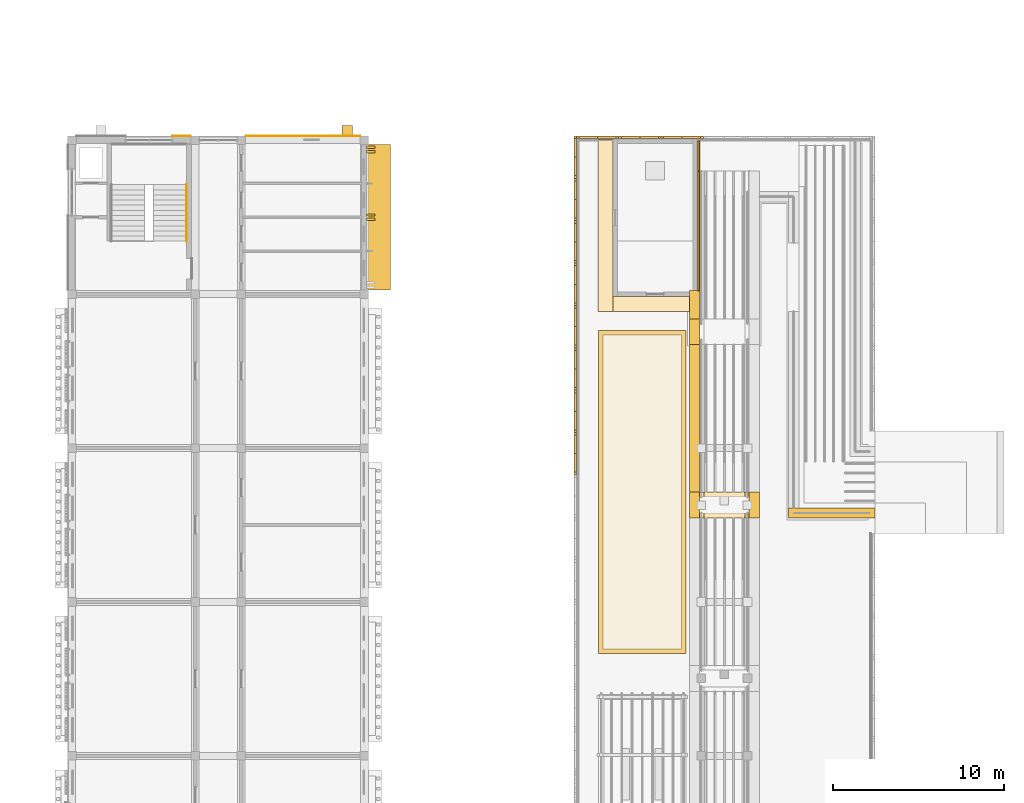
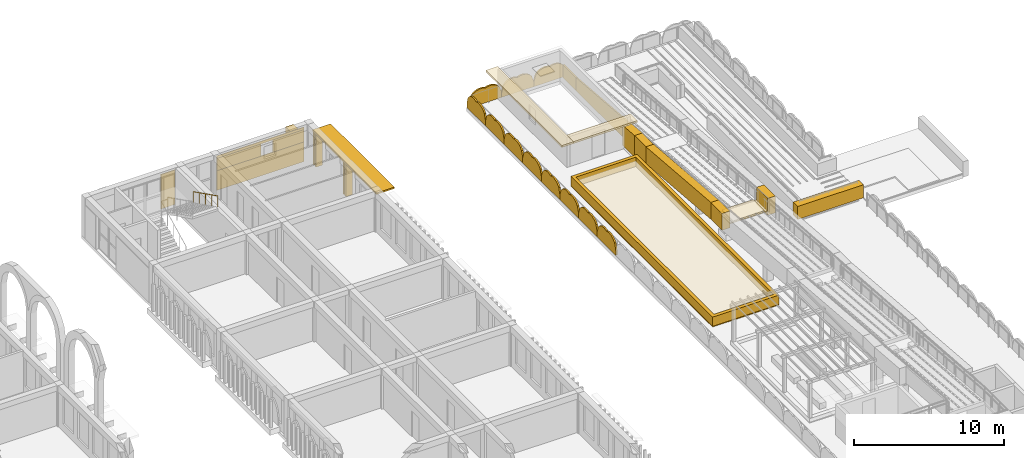
# One storey, part 67 of 70: 24 coverings, 12 shading devices, 1 railing.
"""IFC4 building model written with IfcOpenShell, lengths in metres."""

from ifc_helpers import new_model, si_unit, direction, frame, origin, origin_2d, place, context, subcontext, project, spatial, polyline, rectangle, circle, outline, extrude, material, layer, layer_set, type_object, element, save


model = new_model("IFC4")

# Units and contexts
model_context = context("Model", 3, precision=1e-05, world=origin(), true_north=direction((0.0, 1.0)))
body_context = subcontext(model_context, "Body", "Model", "MODEL_VIEW")
ifc_project = project(units=[si_unit("LENGTHUNIT", "METRE"), si_unit("AREAUNIT", "SQUARE_METRE"), si_unit("VOLUMEUNIT", "CUBIC_METRE"), si_unit("PLANEANGLEUNIT", "RADIAN"), si_unit("MASSUNIT", "GRAM", prefix="KILO")], contexts=[model_context])

# Site, building, storey
site_placement = place(None, origin())
site = spatial("IfcSite", under=ifc_project, at=site_placement, CompositionType="ELEMENT")
building_placement = place(site_placement, origin())
building = spatial("IfcBuilding", under=site, at=building_placement, Name="Elbe Cascade School", CompositionType="ELEMENT")
storey_placement = place(building_placement, frame((0.0, 0.0, 8.10009765625)))
storey = spatial("IfcBuildingStorey", under=building, at=storey_placement, Name="L02", CompositionType="ELEMENT", Elevation=8.10009765625)

# Railing
ifc_material_1 = material(Name="Steel S355J2H, painted", Category="steel")
railing_type = type_object("IfcRailingType", Name="Bar stair handrail 900", PredefinedType="HANDRAIL", material=ifc_material_1)
railing_placement = place(storey_placement, frame((134.89990234375, 57.39990234375, 1.949951171875)))
element("IfcRailing", 1, at=railing_placement, inside=storey, type_object=railing_type, Name="Stair handrail C2.N", PredefinedType="HANDRAIL", context=body_context, shape_type="SweptSolid", body=[
    extrude(circle(Radius=0.02392578125, at=origin_2d()), frame((0.0, 0.0, 0.8759765625), z_axis=(0.0, -0.894427191, 0.4472135955), x_axis=(1.0, 0.0, 0.0)), (0.0, 0.0, 1.0), 3.689208984375),
    extrude(circle(Radius=0.02099609375, at=origin_2d()), origin(), (0.0, 0.0, 1.0), 0.851806640625),
    extrude(circle(Radius=0.02099609375, at=origin_2d()), frame((0.0, -0.824951171875, 0.41259765625)), (0.0, 0.0, 1.0), 0.851806640625),
    extrude(circle(Radius=0.02099609375, at=origin_2d()), frame((0.0, -1.64990234375, 0.824951171875)), (0.0, 0.0, 1.0), 0.851806640625),
    extrude(circle(Radius=0.02099609375, at=origin_2d()), frame((0.0, -2.474853515625, 1.2373046875)), (0.0, 0.0, 1.0), 0.851806640625),
    extrude(circle(Radius=0.02099609375, at=origin_2d()), frame((0.0, -3.2998046875, 1.64990234375)), (0.0, 0.0, 1.0), 0.851806640625),
])

# Shading devices
ifc_material_2 = material(Name="Precast concrete C40/50", Category="concrete")
ifc_layer_1 = layer(ifc_material_2, 0.1201171875)
ifc_layer_set_1 = layer_set([ifc_layer_1], Name="Precast concrete C40/50")
shading_device_type_1 = type_object("IfcShadingDeviceType", Name="Bars envelope Attic jali screen, pointed arch top, pierced precast concrete, 1200 high", PredefinedType="USERDEFINED", material=ifc_layer_set_1)
shading_device_1_placement = place(storey_placement, frame((157.580078125, 40.431884765625, 0.39990234375), z_axis=(-1.0, 0.0, 0.0), x_axis=(0.0, 0.296914729778, 0.954903996871)))
element("IfcShadingDevice", 2, at=shading_device_1_placement, inside=storey, type_object=shading_device_type_1, Name="Attic jali screen SD1 D.L02.w15", ObjectType="JALI", PredefinedType="USERDEFINED", context=body_context, shape_type="SweptSolid", body=[
    extrude(outline(polyline([(0.0, 0.0), (0.5213118135497831, 2.7755575615628914e-17), (0.730927669136395, 0.09691772307437502), (0.8773650620393721, 0.21347995097534359), (0.9848696015542793, 0.3421478331421466), (1.0621396183974305, 0.48047240936850977), (1.1125270975525943, 0.6269000837217165), (1.1363376588260814, 0.7815914981126785), (1.1317062553490027, 0.9451265641229927), (1.2282536445091836, 1.0772014268316772), (1.2963590689187985, 1.218119941159714), (1.3379600643944363, 1.3675353263841168), (1.3526785221820867, 1.5250538097353636), (1.3370899683502817, 1.6919958562875592), (1.2825685611304065, 1.8710435571055892), (1.1649411801745964, 2.069968893608824), (0.7355453523079154, 2.365578822327823), (0.3536770059027736, 2.4843157186597797), (-0.3818683464051418, 0.11873689633195678), (0.0, 0.0)])), origin(), (0.0, 0.0, -1.0), 0.1201171875),
])
shading_device_2_placement = place(storey_placement, frame((157.580078125, 42.9091796875, 0.39990234375), z_axis=(-1.0, 0.0, 0.0), x_axis=(0.0, 0.296914729778, 0.954903996871)))
element("IfcShadingDevice", 3, at=shading_device_2_placement, inside=storey, type_object=shading_device_type_1, Name="Attic jali screen SD1 D.L02.w16", ObjectType="JALI", PredefinedType="USERDEFINED", context=body_context, shape_type="SweptSolid", body=[
    extrude(outline(polyline([(0.0, 0.0), (0.5213118135497831, 2.7755575615628914e-17), (0.730927669136395, 0.09691772307437502), (0.8773650620393721, 0.21347995097534359), (0.9848696015542793, 0.3421478331421466), (1.0620671294497308, 0.48023927850989856), (1.1125270975525943, 0.6269000837217165), (1.1363376588260814, 0.7815914981126785), (1.1317062553490027, 0.9451265641229927), (1.2282536445091836, 1.0772014268316772), (1.296431557866498, 1.218353072018325), (1.3379600643944363, 1.3675353263841168), (1.3526785221820867, 1.5250538097353636), (1.3370899683502817, 1.6919958562875592), (1.2825685611304065, 1.8710435571055892), (1.1648686912268968, 2.069735762750213), (0.7355453523079154, 2.365578822327823), (0.3536770059027736, 2.4843157186597797), (-0.3818683464051418, 0.11873689633195678), (0.0, 0.0)])), origin(), (0.0, 0.0, -1.0), 0.1201171875),
])
shading_device_3_placement = place(storey_placement, frame((157.580078125, 45.386474609375, 0.39990234375), z_axis=(-1.0, 0.0, 0.0), x_axis=(0.0, 0.296914729778, 0.954903996871)))
element("IfcShadingDevice", 4, at=shading_device_3_placement, inside=storey, type_object=shading_device_type_1, Name="Attic jali screen SD1 D.L02.w17", ObjectType="JALI", PredefinedType="USERDEFINED", context=body_context, shape_type="SweptSolid", body=[
    extrude(outline(polyline([(0.0, 0.0), (0.5213118135497831, 2.7755575615628914e-17), (0.730927669136395, 0.09691772307437502), (0.8773650620393721, 0.21347995097534359), (0.9848696015542793, 0.3421478331421466), (1.0620671294497308, 0.48023927850989856), (1.1124546086048945, 0.6266669528631053), (1.1363376588260814, 0.7815914981126785), (1.1317062553490027, 0.9451265641229927), (1.2282536445091836, 1.0772014268316772), (1.296431557866498, 1.218353072018325), (1.3379600643944363, 1.3675353263841168), (1.3526785221820867, 1.5250538097353636), (1.3370899683502817, 1.6919958562875592), (1.2825685611304065, 1.8710435571055892), (1.1648686912268968, 2.069735762750213), (0.7354728633602158, 2.3653456914692117), (0.353604516955074, 2.4840825878011685), (-0.3818683464051418, 0.11873689633195678), (0.0, 0.0)])), origin(), (0.0, 0.0, -1.0), 0.1201171875),
])
shading_device_4_placement = place(storey_placement, frame((157.580078125, 47.863525390625, 0.39990234375), z_axis=(-1.0, 0.0, 0.0), x_axis=(0.0, 0.297341674145, 0.954771139497)))
element("IfcShadingDevice", 5, at=shading_device_4_placement, inside=storey, type_object=shading_device_type_1, Name="Attic jali screen SD1 D.L02.w18", ObjectType="JALI", PredefinedType="USERDEFINED", context=body_context, shape_type="SweptSolid", body=[
    extrude(outline(polyline([(0.0, 0.0), (0.5213843546183408, 0.0), (0.7310435248660785, 0.0968239861308065), (0.8775330225543048, 0.21332072462811125), (0.9850950836468173, 0.3419405245468374), (1.0623543497845827, 0.47999743814690954), (1.112807297308533, 0.6264025676958647), (1.1367596178235617, 0.7813164184342674), (1.1322013375835094, 0.9448535389739736), (1.2288077728077673, 1.0768852184544173), (1.2969762004591083, 1.2177732661588931), (1.3386440011015277, 1.3671700350528164), (1.353432889947968, 1.5246819214728944), (1.337918983839661, 1.6916309215743182), (1.2834776411356403, 1.870702983097163), (1.1658666258721082, 2.0694477969865064), (0.7366030194201371, 2.365249695429385), (0.35478780299032203, 2.4841573278143447), (-0.38181521642981503, 0.11890763238495955), (0.0, 0.0)])), origin(), (0.0, 0.0, -1.0), 0.1201171875),
])
shading_device_5_placement = place(storey_placement, frame((157.580078125, 50.3408203125, 0.39990234375), z_axis=(-1.0, 0.0, 0.0), x_axis=(0.0, 0.296914729778, 0.954903996871)))
element("IfcShadingDevice", 6, at=shading_device_5_placement, inside=storey, type_object=shading_device_type_1, Name="Attic jali screen SD1 D.L02.w19", ObjectType="JALI", PredefinedType="USERDEFINED", context=body_context, shape_type="SweptSolid", body=[
    extrude(outline(polyline([(0.0, 0.0), (0.5213118135497831, 2.7755575615628914e-17), (0.7310001580840946, 0.09715085393298623), (0.8774375509870718, 0.2137130818339548), (0.9849420905019789, 0.3423809640007578), (1.0621396183974305, 0.48047240936850977), (1.1125995865002938, 0.6271332145803277), (1.1364101477737811, 0.7818246289712897), (1.1317787442967022, 0.9453596949816039), (1.2283261334568831, 1.0774345576902884), (1.296431557866498, 1.218353072018325), (1.3379600643944363, 1.3675353263841168), (1.3527510111297865, 1.5252869405939748), (1.3371624572979814, 1.6922289871461704), (1.282641050078106, 1.8712766879642004), (1.1649411801745964, 2.069968893608824), (0.7355453523079154, 2.365578822327823), (0.3536770059027736, 2.4843157186597797), (-0.3818683464051418, 0.11873689633195678), (0.0, 0.0)])), origin(), (0.0, 0.0, -1.0), 0.1201171875),
])
shading_device_6_placement = place(storey_placement, frame((157.580078125, 52.818115234375, 0.39990234375), z_axis=(-1.0, 0.0, 0.0), x_axis=(0.0, 0.296914729778, 0.954903996871)))
element("IfcShadingDevice", 7, at=shading_device_6_placement, inside=storey, type_object=shading_device_type_1, Name="Attic jali screen SD1 D.L02.w20", ObjectType="JALI", PredefinedType="USERDEFINED", context=body_context, shape_type="SweptSolid", body=[
    extrude(outline(polyline([(0.0, 0.0), (0.5213118135497831, 2.7755575615628914e-17), (0.730927669136395, 0.09691772307437502), (0.8774375509870718, 0.2137130818339548), (0.9849420905019789, 0.3423809640007578), (1.0621396183974305, 0.48047240936850977), (1.1125995865002938, 0.6271332145803277), (1.1364101477737811, 0.7818246289712897), (1.1317787442967022, 0.9453596949816039), (1.2283261334568831, 1.0774345576902884), (1.296431557866498, 1.218353072018325), (1.3379600643944363, 1.3675353263841168), (1.3526785221820867, 1.5250538097353636), (1.3371624572979814, 1.6922289871461704), (1.282641050078106, 1.8712766879642004), (1.1649411801745964, 2.069968893608824), (0.7355453523079154, 2.365578822327823), (0.3536770059027736, 2.4843157186597797), (-0.3818683464051418, 0.11873689633195678), (0.0, 0.0)])), origin(), (0.0, 0.0, -1.0), 0.1201171875),
])
shading_device_7_placement = place(storey_placement, frame((157.580078125, 55.29541015625, 0.39990234375), z_axis=(-1.0, 0.0, 0.0), x_axis=(0.0, 0.296914729778, 0.954903996871)))
element("IfcShadingDevice", 8, at=shading_device_7_placement, inside=storey, type_object=shading_device_type_1, Name="Attic jali screen SD1 D.L02.w21", ObjectType="JALI", PredefinedType="USERDEFINED", context=body_context, shape_type="SweptSolid", body=[
    extrude(outline(polyline([(0.0, 0.0), (0.5213118135497831, 2.7755575615628914e-17), (0.730927669136395, 0.09691772307437502), (0.8774375509870718, 0.2137130818339548), (0.9849420905019789, 0.3423809640007578), (1.0621396183974305, 0.48047240936850977), (1.1125270975525943, 0.6269000837217165), (1.1364101477737811, 0.7818246289712897), (1.1317787442967022, 0.9453596949816039), (1.2283261334568831, 1.0774345576902884), (1.296431557866498, 1.218353072018325), (1.3379600643944363, 1.3675353263841168), (1.3526785221820867, 1.5250538097353636), (1.3370899683502817, 1.6919958562875592), (1.282641050078106, 1.8712766879642004), (1.1649411801745964, 2.069968893608824), (0.7355453523079154, 2.365578822327823), (0.3536770059027736, 2.4843157186597797), (-0.3818683464051418, 0.11873689633195678), (0.0, 0.0)])), origin(), (0.0, 0.0, -1.0), 0.1201171875),
])
shading_device_8_placement = place(storey_placement, frame((157.580078125, 57.772705078125, 0.39990234375), z_axis=(-1.0, 0.0, 0.0), x_axis=(0.0, 0.296914729778, 0.954903996871)))
element("IfcShadingDevice", 9, at=shading_device_8_placement, inside=storey, type_object=shading_device_type_1, Name="Attic jali screen SD1 D.L02.w22", ObjectType="JALI", PredefinedType="USERDEFINED", context=body_context, shape_type="SweptSolid", body=[
    extrude(outline(polyline([(0.0, 0.0), (0.5213118135497831, 2.7755575615628914e-17), (0.7310001580840946, 0.09715085393298623), (0.8774375509870718, 0.2137130818339548), (0.9849420905019789, 0.3423809640007578), (1.0621396183974305, 0.48047240936850977), (1.1125270975525943, 0.6269000837217165), (1.1363376588260814, 0.7815914981126785), (1.1317787442967022, 0.9453596949816039), (1.2283261334568831, 1.0774345576902884), (1.296431557866498, 1.218353072018325), (1.3379600643944363, 1.3675353263841168), (1.3526785221820867, 1.5250538097353636), (1.3370899683502817, 1.6919958562875592), (1.2825685611304065, 1.8710435571055892), (1.1649411801745964, 2.069968893608824), (0.7355453523079154, 2.365578822327823), (0.3536770059027736, 2.4843157186597797), (-0.3818683464051418, 0.11873689633195678), (0.0, 0.0)])), origin(), (0.0, 0.0, -1.0), 0.1201171875),
])
shading_device_9_placement = place(storey_placement, frame((157.699951171875, 60.219970703125, 0.39990234375), z_axis=(0.0, 1.0, 0.0), x_axis=(0.296885994804, 0.0, 0.954912931156)))
element("IfcShadingDevice", 10, at=shading_device_9_placement, inside=storey, type_object=shading_device_type_1, Name="Attic jali screen SD1 D.L02.n1", ObjectType="JALI", PredefinedType="USERDEFINED", context=body_context, shape_type="SweptSolid", body=[
    extrude(outline(polyline([(0.0, 0.0), (0.5205399322619295, 0.0), (0.7297747744144588, 0.09653024661443438), (0.8759030447045664, 0.21293622992885647), (0.9833312303823933, 0.34137421400927725), (1.0606852539217615, 0.47916236735966106), (1.1111564959480074, 0.6250528098876207), (1.1353561864054482, 0.7793668438081713), (1.130880512963428, 0.9425961554047334), (1.227045830796945, 1.0742801391969354), (1.2946082666633263, 1.2151125337049815), (1.3358266690285774, 1.3641353865657857), (1.3502347718130312, 1.521493661643999), (1.3344962305267012, 1.6879689729523422), (1.280130086560416, 1.8667094180665167), (1.1625848887993835, 2.065092466840847), (0.7337346009289507, 2.3600057622296102), (0.3518626816824722, 2.4787311673784416), (-0.3818719192464785, 0.1187254051488315), (0.0, 0.0)])), origin(), (0.0, 0.0, -1.0), 0.1201171875),
])
shading_device_10_placement = place(storey_placement, frame((160.17138671875, 60.219970703125, 0.39990234375), z_axis=(0.0, 1.0, 0.0), x_axis=(0.296885994804, 0.0, 0.954912931156)))
element("IfcShadingDevice", 11, at=shading_device_10_placement, inside=storey, type_object=shading_device_type_1, Name="Attic jali screen SD1 D.L02.n2", ObjectType="JALI", PredefinedType="USERDEFINED", context=body_context, shape_type="SweptSolid", body=[
    extrude(outline(polyline([(0.0, 0.0), (0.5205399322619295, 0.0), (0.7298472563467842, 0.0967633796542674), (0.8759030447045664, 0.21293622992885647), (0.9833312303823933, 0.34137421400927725), (1.0606852539217615, 0.47916236735966106), (1.1111564959480074, 0.6250528098876207), (1.1353561864054482, 0.7793668438081713), (1.1308080310311026, 0.9423630223649005), (1.227045830796945, 1.0742801391969354), (1.2946082666633263, 1.2151125337049815), (1.3358266690285774, 1.3641353865657857), (1.350162289880706, 1.521260528604166), (1.3344962305267012, 1.6879689729523422), (1.280130086560416, 1.8667094180665167), (1.162512406867058, 2.0648593338010137), (0.7337346009289507, 2.3600057622296102), (0.3518626816824722, 2.4787311673784416), (-0.3818719192464785, 0.1187254051488315), (0.0, 0.0)])), origin(), (0.0, 0.0, -1.0), 0.1201171875),
])
shading_device_11_placement = place(storey_placement, frame((162.642822265625, 60.219970703125, 0.39990234375), z_axis=(0.0, 1.0, 0.0), x_axis=(0.296885994804, 0.0, 0.954912931156)))
element("IfcShadingDevice", 12, at=shading_device_11_placement, inside=storey, type_object=shading_device_type_1, Name="Attic jali screen SD1 D.L02.n3", ObjectType="JALI", PredefinedType="USERDEFINED", context=body_context, shape_type="SweptSolid", body=[
    extrude(outline(polyline([(0.0, 0.0), (0.5205399322619295, 0.0), (0.7298472563467842, 0.0967633796542674), (0.8759030447045664, 0.21293622992885647), (0.9833312303823933, 0.34137421400927725), (1.0606852539217615, 0.47916236735966106), (1.1111564959480074, 0.6250528098876207), (1.1353561864054482, 0.7793668438081713), (1.130880512963428, 0.9425961554047334), (1.227045830796945, 1.0742801391969354), (1.2946082666633263, 1.2151125337049815), (1.3358266690285774, 1.3641353865657857), (1.350162289880706, 1.521260528604166), (1.3344962305267012, 1.6879689729523422), (1.280130086560416, 1.8667094180665167), (1.162512406867058, 2.0648593338010137), (0.7337346009289507, 2.3600057622296102), (0.3518626816824722, 2.4787311673784416), (-0.3818719192464785, 0.1187254051488315), (0.0, 0.0)])), origin(), (0.0, 0.0, -1.0), 0.1201171875),
])
ifc_material_3 = material(Name="Precast concrete C30/37", Category="concrete")
ifc_layer_2 = layer(ifc_material_3, 0.1201171875)
ifc_layer_set_2 = layer_set([ifc_layer_2], Name="Precast concrete C30/37")
shading_device_type_2 = type_object("IfcShadingDeviceType", Name="Bars envelope Chhajja eave, precast concrete, 1400 x 120", PredefinedType="USERDEFINED", material=ifc_layer_set_2)
shading_device_12_placement = place(storey_placement, frame((146.1201171875, 55.5, 2.6298828125), z_axis=(0.0, 0.0, 1.0), x_axis=(0.0, 1.0, 0.0)))
element("IfcShadingDevice", 13, at=shading_device_12_placement, inside=storey, type_object=shading_device_type_2, Name="Chhajja eave SD8 C.L02.e6", ObjectType="CHHAJJA", PredefinedType="USERDEFINED", context=body_context, shape_type="SweptSolid", body=[
    extrude(rectangle(XDim=8.5, YDim=1.39990234375, at=origin_2d()), origin(), (0.0, 0.0, 1.0), 0.1201171875),
])

# Coverings
ifc_material_4 = material(Name="Precast concrete C40/50", Category="concrete")
covering_type_1 = type_object("IfcCoveringType", Name="Bars envelope Precast concrete fin, 140 wide, 500 deep", PredefinedType="CLADDING", material=ifc_material_4)
for number, where, z_axis, x_axis, name in (
    (14, (145.669921875, 55.3701171875, 0.0), (0.0, 0.0, 1.0), (0.0, 1.0, 0.0), "Fin CV62 C.L02.e6.3"),
    (15, (145.669921875, 55.6298828125, 0.0), (0.0, 0.0, 1.0), (0.0, 1.0, 0.0), "Fin CV62 C.L02.e6.4"),
    (16, (145.669921875, 59.330078125, 0.0), (0.0, 0.0, 1.0), (0.0, 1.0, 0.0), "Fin CV62 C.L02.e6.5"),
    (17, (145.669921875, 59.590087890625, 0.0), (0.0, 0.0, 1.0), (0.0, 1.0, 0.0), "Fin CV62 C.L02.e6.6"),
):
    element("IfcCovering", number, at=place(storey_placement, frame(where, z_axis=z_axis, x_axis=x_axis)), inside=storey, type_object=covering_type_1, Name=name, PredefinedType="CLADDING", context=body_context, shape_type="SweptSolid", body=[
        extrude(rectangle(XDim=0.139892578125, YDim=0.5, at=origin_2d()), origin(), (0.0, 0.0, 1.0), 2.6298828125),
    ])
ifc_material_5 = material(Name="Precast concrete C40/50", Category="concrete")
covering_type_2 = type_object("IfcCoveringType", Name="Bars envelope Precast concrete gable fin, 600 wide, 600 deep", PredefinedType="CLADDING", material=ifc_material_5)
covering_1_placement = place(storey_placement, frame((144.300048828125, 60.56005859375, 0.0), z_axis=(0.0, 0.0, 1.0), x_axis=(1.0, 0.0, 0.0)))
element("IfcCovering", 18, at=covering_1_placement, inside=storey, type_object=covering_type_2, Name="Fin CV63 C.L02.n.2", PredefinedType="CLADDING", context=body_context, shape_type="SweptSolid", body=[
    extrude(rectangle(XDim=0.60009765625, YDim=0.60009765625, at=origin_2d()), origin(), (0.0, 0.0, 1.0), 2.800048828125),
])
ifc_material_6 = material(Name="Bituminous waterproofing membrane", Category="membrane")
ifc_layer_3 = layer(ifc_material_6, 0.06005859375)
ifc_layer_set_3 = layer_set([ifc_layer_3], Name="Bituminous waterproofing membrane")
covering_type_3 = type_object("IfcCoveringType", Name="Bars envelope Roof covering, bituminous waterproofing membrane", PredefinedType="ROOFING", material=ifc_layer_set_3)
covering_2_placement = place(storey_placement, origin())
element("IfcCovering", 19, at=covering_2_placement, inside=storey, type_object=covering_type_3, Name="Roof covering CV49 D.L02.2", PredefinedType="ROOFING", context=body_context, shape_type="SweptSolid", body=[
    extrude(outline(polyline([(159.0, 48.875), (164.10009765625, 48.875), (164.10009765625, 30.0), (159.0, 30.0), (159.0, 48.875)])), origin(), (0.0, 0.0, 1.0), 0.059814453125),
])
ifc_material_7 = material(Name="Sandstone - red", Category="masonry")
ifc_layer_4 = layer(ifc_material_7, 0.0400390625)
ifc_layer_set_4 = layer_set([ifc_layer_4], Name="Sandstone - red")
covering_type_4 = type_object("IfcCoveringType", Name="Bars envelope Sandstone cladding, red, 40 mm", PredefinedType="CLADDING", material=ifc_layer_set_4)
covering_3_placement = place(storey_placement, frame((134.60009765625, 60.239990234375, 0.0), z_axis=(0.0, 0.0, 1.0), x_axis=(1.0, 0.0, 0.0)))
element("IfcCovering", 20, at=covering_3_placement, inside=storey, type_object=covering_type_4, Name="Sandstone cladding CV48 C.L02.n.1b.1", PredefinedType="CLADDING", context=body_context, shape_type="SweptSolid", body=[
    extrude(rectangle(XDim=1.10009765625, YDim=0.0400390625, at=origin_2d()), origin(), (0.0, 0.0, 1.0), 2.800048828125),
])
covering_4_placement = place(storey_placement, frame((141.699951171875, 60.239990234375, -0.000244140625), z_axis=(0.0, 0.0, 1.0), x_axis=(1.0, 0.0, 0.0)))
element("IfcCovering", 21, at=covering_4_placement, inside=storey, type_object=covering_type_4, Name="Sandstone cladding CV48 C.L02.n.3.1", PredefinedType="CLADDING", context=body_context, shape_type="SweptSolid", body=[
    extrude(rectangle(XDim=6.699951171875, YDim=0.0400390625, at=origin_2d()), origin(), (0.0, 0.0, 1.0), 1.60009765625),
])
covering_5_placement = place(storey_placement, frame((140.050048828125, 60.239990234375, 1.599853515625), z_axis=(0.0, 0.0, 1.0), x_axis=(1.0, 0.0, 0.0)))
element("IfcCovering", 22, at=covering_5_placement, inside=storey, type_object=covering_type_4, Name="Sandstone cladding CV48 C.L02.n.3.2", PredefinedType="CLADDING", context=body_context, shape_type="SweptSolid", body=[
    extrude(rectangle(XDim=3.39990234375, YDim=0.0400390625, at=origin_2d()), origin(), (0.0, 0.0, 1.0), 1.0),
])
covering_6_placement = place(storey_placement, frame((143.85009765625, 60.239990234375, 1.599853515625), z_axis=(0.0, 0.0, 1.0), x_axis=(1.0, 0.0, 0.0)))
element("IfcCovering", 23, at=covering_6_placement, inside=storey, type_object=covering_type_4, Name="Sandstone cladding CV48 C.L02.n.3.3", PredefinedType="CLADDING", context=body_context, shape_type="SweptSolid", body=[
    extrude(rectangle(XDim=2.39990234375, YDim=0.0400390625, at=origin_2d()), origin(), (0.0, 0.0, 1.0), 1.0),
])
covering_7_placement = place(storey_placement, frame((141.699951171875, 60.239990234375, 2.60009765625), z_axis=(0.0, 0.0, 1.0), x_axis=(1.0, 0.0, 0.0)))
element("IfcCovering", 24, at=covering_7_placement, inside=storey, type_object=covering_type_4, Name="Sandstone cladding CV48 C.L02.n.3.4", PredefinedType="CLADDING", context=body_context, shape_type="SweptSolid", body=[
    extrude(rectangle(XDim=6.699951171875, YDim=0.0400390625, at=origin_2d()), origin(), (0.0, 0.0, 1.0), 0.199951171875),
])
ifc_material_8 = material(Name="Concrete C30/37 precast kerb", Category="concrete")
ifc_layer_5 = layer(ifc_material_8, 0.25)
ifc_layer_set_5 = layer_set([ifc_layer_5], Name="Concrete C30/37 precast kerb")
covering_type_5 = type_object("IfcCoveringType", Name="Planting bed kerb 250x750", PredefinedType="CLADDING", material=ifc_layer_set_5)
covering_8_placement = place(storey_placement, frame((0.0, 0.0, 0.059814453125)))
element("IfcCovering", 25, at=covering_8_placement, inside=storey, type_object=covering_type_5, Name="Planting bed kerb D W2", PredefinedType="CLADDING", context=body_context, shape_type="SweptSolid", body=[
    extrude(outline(polyline([(164.10009765625, 30.0), (159.0, 30.0), (159.0, 48.875), (162.10009765625, 48.875), (162.5, 48.875), (164.10009765625, 48.875), (164.10009765625, 42.89990234375), (164.10009765625, 42.89990234375), (164.10009765625, 41.10009765625), (164.10009765625, 41.10009765625), (164.10009765625, 39.570068359375), (164.10009765625, 39.570068359375), (164.10009765625, 37.77001953125), (164.10009765625, 37.77001953125), (164.10009765625, 33.89990234375), (164.10009765625, 33.89990234375), (164.10009765625, 32.10009765625), (164.10009765625, 32.10009765625), (164.10009765625, 30.0)]), holes=[polyline([(163.85009765625, 30.25), (159.25, 30.25), (159.25, 48.625), (163.85009765625, 48.625), (163.85009765625, 43.14990234375), (163.85009765625, 43.14990234375), (163.85009765625, 41.10009765625), (163.85009765625, 39.820068359375), (163.85009765625, 39.820068359375), (163.85009765625, 37.77001953125), (163.85009765625, 34.14990234375), (163.85009765625, 34.14990234375), (163.85009765625, 32.10009765625), (163.85009765625, 30.25)])]), origin(), (0.0, 0.0, 1.0), 0.75),
])
ifc_material_9 = material(Name="Concrete C30/37 precast parapet", Category="concrete")
ifc_layer_6 = layer(ifc_material_9, 0.60009765625)
ifc_layer_set_6 = layer_set([ifc_layer_6], Name="Concrete C30/37 precast parapet")
covering_type_6 = type_object("IfcCoveringType", Name="Ramp and bridge parapet 600", PredefinedType="CLADDING", material=ifc_layer_set_6)
covering_9_placement = place(storey_placement, frame((0.0, 0.0, 1.199951171875)))
element("IfcCovering", 26, at=covering_9_placement, inside=storey, type_object=covering_type_6, Name="Ramp D landing 4 parapet w1", PredefinedType="CLADDING", context=body_context, shape_type="SweptSolid", body=[
    extrude(outline(polyline([(164.300048828125, 37.919921875), (164.89990234375, 37.919921875), (164.89990234375, 39.419921875), (164.300048828125, 39.419921875), (164.300048828125, 37.919921875)])), origin(), (0.0, 0.0, 1.0), 1.35986328125),
])
covering_10_placement = place(storey_placement, frame((164.300048828125, 39.419921875, 2.559814453125), z_axis=(0.0, 0.083040819057, 0.996546146634), x_axis=(0.0, 0.996546146634, -0.083040819057)))
element("IfcCovering", 27, at=covering_10_placement, inside=storey, type_object=covering_type_6, Name="Ramp D flight 4 parapet w1", PredefinedType="CLADDING", context=body_context, shape_type="SweptSolid", body=[
    extrude(outline(polyline([(0.0, 0.0), (8.670081910342619, 0.0), (8.670081910342619, -0.599853515625), (0.0, -0.599853515625), (0.0, 0.0)])), origin(), (0.083040819057, 0.0, -0.996546146634), 1.360107421875),
])
covering_11_placement = place(storey_placement, frame((0.0, 0.0, 1.199951171875)))
element("IfcCovering", 28, at=covering_11_placement, inside=storey, type_object=covering_type_6, Name="Ramp D landing 4 parapet e1", PredefinedType="CLADDING", context=body_context, shape_type="SweptSolid", body=[
    extrude(outline(polyline([(167.800048828125, 37.919921875), (168.39990234375, 37.919921875), (168.39990234375, 39.419921875), (167.800048828125, 39.419921875), (167.800048828125, 37.919921875)])), origin(), (0.0, 0.0, 1.0), 1.35986328125),
])
ifc_material_10 = material(Name="Concrete C30/37 precast parapet", Category="concrete")
ifc_layer_7 = layer(ifc_material_10, 0.10009765625)
ifc_layer_set_7 = layer_set([ifc_layer_7], Name="Concrete C30/37 precast parapet")
covering_type_7 = type_object("IfcCoveringType", Name="Ramp parapet beside a wall 100", PredefinedType="CLADDING", material=ifc_layer_set_7)
covering_12_placement = place(storey_placement, frame((164.800048828125, 49.56005859375, 0.059814453125), z_axis=(1.0, 0.0, 0.0), x_axis=(0.0, 1.0, 0.0)))
element("IfcCovering", 29, at=covering_12_placement, inside=storey, type_object=covering_type_7, Name="Ramp D flight 5 parapet w2", PredefinedType="CLADDING", context=body_context, shape_type="SweptSolid", body=[
    extrude(outline(polyline([(1.639892578125, 0.0), (8.639892578125, 0.0), (8.639892578125, 1.06005859375), (1.639892578125, 1.643310546875), (1.639892578125, 0.0)])), origin(), (0.0, 0.0, 1.0), 0.099853515625),
])
ifc_material_11 = material(Name="Concrete C30/37 precast parapet", Category="concrete")
ifc_layer_8 = layer(ifc_material_11, 0.60009765625)
ifc_layer_set_8 = layer_set([ifc_layer_8], Name="Concrete C30/37 precast parapet")
covering_type_8 = type_object("IfcCoveringType", Name="Ramp parapet on deck 600", PredefinedType="CLADDING", material=ifc_layer_set_8)
covering_13_placement = place(storey_placement, frame((0.0, 0.0, 0.059814453125)))
element("IfcCovering", 30, at=covering_13_placement, inside=storey, type_object=covering_type_8, Name="Ramp D landing 5 parapet w1", PredefinedType="CLADDING", context=body_context, shape_type="SweptSolid", body=[
    extrude(outline(polyline([(164.300048828125, 48.06005859375), (164.89990234375, 48.06005859375), (164.89990234375, 49.56005859375), (164.300048828125, 49.56005859375), (164.300048828125, 48.06005859375)])), origin(), (0.0, 0.0, 1.0), 1.780029296875),
])
covering_14_placement = place(storey_placement, frame((164.300048828125, 49.56005859375, 0.059814453125), z_axis=(1.0, 0.0, 0.0), x_axis=(0.0, 1.0, 0.0)))
element("IfcCovering", 31, at=covering_14_placement, inside=storey, type_object=covering_type_8, Name="Ramp D flight 5 parapet w1", PredefinedType="CLADDING", context=body_context, shape_type="SweptSolid", body=[
    extrude(outline(polyline([(0.0, 0.0), (1.639892578125, 0.0), (1.639892578125, 1.643310546875), (0.0, 1.780029296875), (0.0, 0.0)])), origin(), (0.0, 0.0, 1.0), 0.599853515625),
])
ifc_material_12 = material(Name="Precast concrete C30/37", Category="concrete")
ifc_layer_9 = layer(ifc_material_12, 0.14990234375)
ifc_layer_set_9 = layer_set([ifc_layer_9], Name="Precast concrete C30/37")
covering_type_9 = type_object("IfcCoveringType", Name="Roof head eave, precast concrete, 900 x 150", PredefinedType="USERDEFINED", material=ifc_layer_set_9)
covering_15_placement = place(storey_placement, frame((0.0, 0.0, 2.5)))
element("IfcCovering", 32, at=covering_15_placement, inside=storey, type_object=covering_type_9, Name="Stair head eave D.L02.north.w", ObjectType="EAVE", PredefinedType="USERDEFINED", context=body_context, shape_type="SweptSolid", body=[
    extrude(outline(polyline([(158.949951171875, 49.97509765625), (159.85009765625, 49.97509765625), (159.85009765625, 60.070068359375), (158.949951171875, 60.070068359375), (158.949951171875, 49.97509765625)])), origin(), (0.0, 0.0, 1.0), 0.14990234375),
])
covering_16_placement = place(storey_placement, frame((0.0, 0.0, 2.5)))
element("IfcCovering", 33, at=covering_16_placement, inside=storey, type_object=covering_type_9, Name="Stair head eave D.L02.north.i", ObjectType="EAVE", PredefinedType="USERDEFINED", context=body_context, shape_type="SweptSolid", body=[
    extrude(outline(polyline([(159.85009765625, 49.97509765625), (164.75, 49.97509765625), (164.75, 50.875), (159.85009765625, 50.875), (159.85009765625, 49.97509765625)])), origin(), (0.0, 0.0, 1.0), 0.14990234375),
])
ifc_material_13 = material(Name="Running track surfacing - red", Category="surfacing")
ifc_layer_10 = layer(ifc_material_13, 0.10009765625)
ifc_layer_set_10 = layer_set([ifc_layer_10], Name="Running track surfacing - red")
covering_type_10 = type_object("IfcCoveringType", Name="Running track band 100", PredefinedType="USERDEFINED", material=ifc_layer_set_10)
covering_17_placement = place(storey_placement, frame((0.0, 0.0, 1.559814453125)))
element("IfcCovering", 34, at=covering_17_placement, inside=storey, type_object=covering_type_10, Name="Running track band D ramp landing 4", ObjectType="RUNNING TRACK", PredefinedType="USERDEFINED", context=body_context, shape_type="SweptSolid", body=[
    extrude(outline(polyline([(167.550048828125, 37.919921875), (167.550048828125, 39.419921875), (165.14990234375, 39.419921875), (165.14990234375, 37.919921875), (167.550048828125, 37.919921875)])), origin(), (0.0, 0.0, 1.0), 0.10009765625),
])
ifc_material_14 = material(Name="Running track surfacing - red", Category="surfacing")
ifc_layer_11 = layer(ifc_material_14, 0.06005859375)
ifc_layer_set_11 = layer_set([ifc_layer_11], Name="Running track surfacing - red")
covering_type_11 = type_object("IfcCoveringType", Name="Running track surfacing 60", PredefinedType="USERDEFINED", material=ifc_layer_set_11)
covering_18_placement = place(storey_placement, frame((0.0, 0.0, 1.5)))
element("IfcCovering", 35, at=covering_18_placement, inside=storey, type_object=covering_type_11, Name="Running track D ramp landing 4", ObjectType="RUNNING TRACK", PredefinedType="USERDEFINED", context=body_context, shape_type="SweptSolid", body=[
    extrude(outline(polyline([(167.800048828125, 37.919921875), (167.800048828125, 39.419921875), (164.89990234375, 39.419921875), (164.89990234375, 37.919921875), (167.800048828125, 37.919921875)])), origin(), (0.0, 0.0, 1.0), 0.059814453125),
])
ifc_material_15 = material(Name="Concrete C30/37 precast parapet", Category="concrete")
ifc_layer_12 = layer(ifc_material_15, 0.10009765625)
ifc_layer_set_12 = layer_set([ifc_layer_12], Name="Concrete C30/37 precast parapet")
covering_type_12 = type_object("IfcCoveringType", Name="Track parapet beside a wall 100x1060", PredefinedType="CLADDING", material=ifc_layer_set_12)
covering_19_placement = place(storey_placement, frame((0.0, 0.0, 0.059814453125)))
element("IfcCovering", 36, at=covering_19_placement, inside=storey, type_object=covering_type_12, Name="Track parapet D link west", PredefinedType="CLADDING", context=body_context, shape_type="SweptSolid", body=[
    extrude(outline(polyline([(164.800048828125, 58.199951171875), (164.89990234375, 58.199951171875), (164.89990234375, 59.969970703125), (164.800048828125, 59.969970703125), (164.800048828125, 58.199951171875)])), origin(), (0.0, 0.0, 1.0), 1.06005859375),
])
ifc_material_16 = material(Name="Concrete C30/37 precast parapet", Category="concrete")
ifc_layer_13 = layer(ifc_material_16, 0.60009765625)
ifc_layer_set_13 = layer_set([ifc_layer_13], Name="Concrete C30/37 precast parapet")
covering_type_13 = type_object("IfcCoveringType", Name="Track parapet on deck 600x1060", PredefinedType="CLADDING", material=ifc_layer_set_13)
covering_20_placement = place(storey_placement, frame((0.0, 0.0, 0.059814453125)))
element("IfcCovering", 37, at=covering_20_placement, inside=storey, type_object=covering_type_13, Name="Track parapet D south", PredefinedType="CLADDING", context=body_context, shape_type="SweptSolid", body=[
    extrude(outline(polyline([(170.10009765625, 37.89990234375), (175.14990234375, 37.89990234375), (175.14990234375, 38.5), (170.10009765625, 38.5), (170.10009765625, 37.89990234375)])), origin(), (0.0, 0.0, 1.0), 1.06005859375),
])

save(model, "model.ifc")
